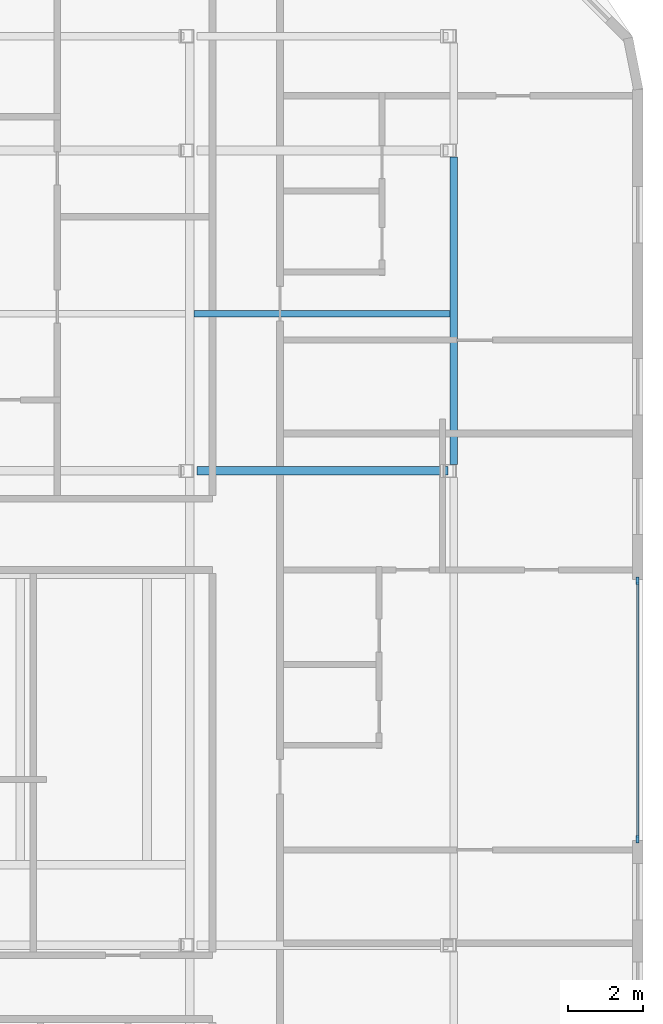
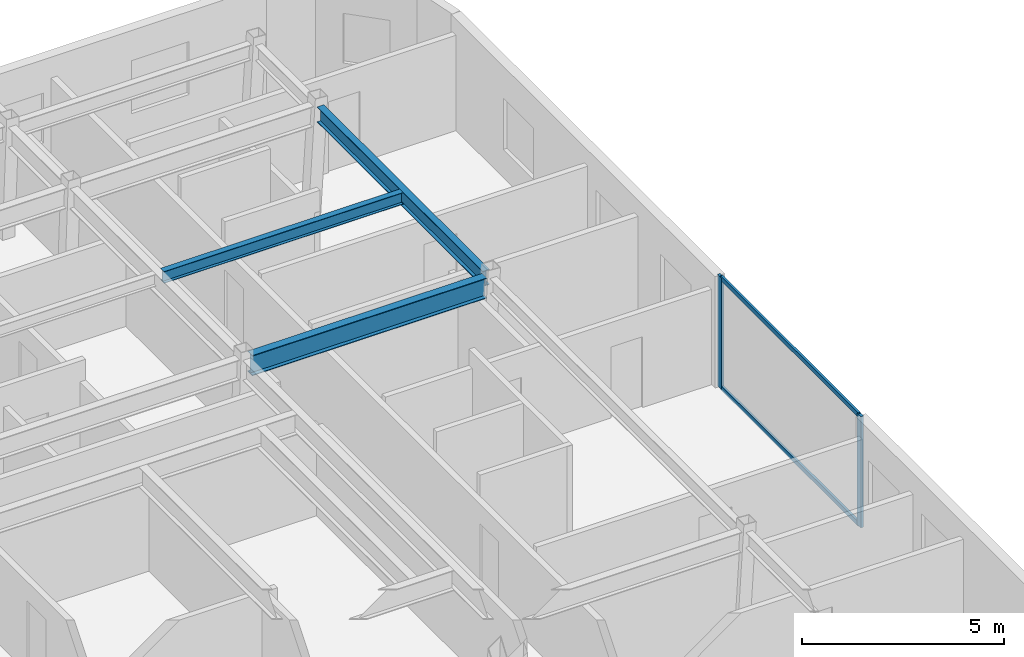
# One storey, part 2 of 9: 4 members, 3 beams, 1 element without a shape of its own.
"""IFC4 building model written with IfcOpenShell, lengths in metres."""

from ifc_helpers import new_model, si_unit, direction, frame, origin, origin_2d, place, context, subcontext, project, spatial, rectangle, i_section, extrude, material, layer, layer_set, material_profile, profile_set, type_object, element, aggregate, save


model = new_model("IFC4")

# Units and contexts
model_context = context("Model", 3, precision=1e-05, world=origin(), true_north=direction((0.0, 1.0)))
body_context = subcontext(model_context, "Body", "Model", "MODEL_VIEW")
ifc_project = project(units=[si_unit("LENGTHUNIT", "METRE"), si_unit("AREAUNIT", "SQUARE_METRE"), si_unit("VOLUMEUNIT", "CUBIC_METRE"), si_unit("PLANEANGLEUNIT", "RADIAN"), si_unit("MASSUNIT", "GRAM", prefix="KILO")], contexts=[model_context])

# Site, building, storey
site_placement = place(None, origin())
site = spatial("IfcSite", under=ifc_project, at=site_placement, CompositionType="ELEMENT")
building_placement = place(site_placement, origin())
building = spatial("IfcBuilding", under=site, at=building_placement, Name="Ochreholt Gables", CompositionType="ELEMENT")
storey_placement = place(building_placement, frame((0.0, 0.0, 184.800048828125)))
storey = spatial("IfcBuildingStorey", under=building, at=storey_placement, Name="L48", CompositionType="ELEMENT", Elevation=184.800048828125)

# Beams
ifc_material_1 = material(Name="Steel CSA G40.21 350W", Category="steel")
ifc_material_profile_1 = material_profile(ifc_material_1, i_section(OverallWidth=0.22900390625, OverallDepth=0.612060546875, WebThickness=0.011962890625, FlangeThickness=0.01953125, at=origin_2d()), Name="W610X125")
ifc_profile_set_1 = profile_set([ifc_material_profile_1], Name="Steel CSA G40.21 350W")
beam_type_1 = type_object("IfcBeamType", Name="BM-G-W610B", PredefinedType="BEAM", material=ifc_profile_set_1)
beam_1_placement = place(storey_placement, frame((46.70751953125, 30.199951171875, 3.053955078125), z_axis=(1.0, 0.0, 0.0), x_axis=(0.0, 1.0, 0.0)))
element("IfcBeam", 1, at=beam_1_placement, inside=storey, type_object=beam_type_1, Name="L48 Beam TBG-L48-EMEE-Y4", PredefinedType="BEAM", context=body_context, shape_type="SweptSolid", body=[
    extrude(i_section(OverallWidth=0.22900390625, OverallDepth=0.612060546875, WebThickness=0.011962890625, FlangeThickness=0.01953125, at=origin_2d()), origin(), (0.0, 0.0, 1.0), 6.698974609375),
])
ifc_material_profile_2 = material_profile(ifc_material_1, i_section(OverallWidth=0.172119140625, OverallDepth=0.35791015625, WebThickness=0.0078125, FlangeThickness=0.01318359375, at=origin_2d()), Name="W360X57")
ifc_profile_set_2 = profile_set([ifc_material_profile_2], Name="Steel CSA G40.21 350W")
beam_type_2 = type_object("IfcBeamType", Name="BM-J-W360B", PredefinedType="JOIST", material=ifc_profile_set_2)
beam_2_placement = place(storey_placement, frame((46.626953125, 34.39990234375, 3.180908203125), z_axis=(1.0, 0.0, 0.0), x_axis=(0.0, 1.0, 0.0)))
element("IfcBeam", 2, at=beam_2_placement, inside=storey, type_object=beam_type_2, Name="L48 Beam TBJ-L48-J2-EMEE", PredefinedType="JOIST", context=body_context, shape_type="SweptSolid", body=[
    extrude(i_section(OverallWidth=0.172119140625, OverallDepth=0.35791015625, WebThickness=0.0078125, FlangeThickness=0.01318359375, at=origin_2d()), origin(), (0.0, 0.0, 1.0), 6.8330078125),
])
ifc_material_profile_3 = material_profile(ifc_material_1, i_section(OverallWidth=0.19189453125, OverallDepth=0.462890625, WebThickness=0.010498046875, FlangeThickness=0.017578125, at=origin_2d()), Name="W460X89")
ifc_profile_set_3 = profile_set([ifc_material_profile_3], Name="Steel CSA G40.21 350W")
beam_type_3 = type_object("IfcBeamType", Name="BM-SP-W460A", PredefinedType="SPANDREL", material=ifc_profile_set_3)
beam_3_placement = place(storey_placement, frame((53.5556640625, 30.377685546875, 3.12841796875), z_axis=(0.0, 1.0, 0.0), x_axis=(-1.0, 0.0, 0.0)))
element("IfcBeam", 3, at=beam_3_placement, inside=storey, type_object=beam_type_3, Name="L48 Beam TBN-L48-EE-Y4Y5", PredefinedType="SPANDREL", context=body_context, shape_type="SweptSolid", body=[
    extrude(i_section(OverallWidth=0.19189453125, OverallDepth=0.462890625, WebThickness=0.010498046875, FlangeThickness=0.017578125, at=origin_2d()), origin(), (0.0, 0.0, 1.0), 8.19482421875),
])

# Curtain wall, members
ifc_material_2 = material(Name="Unitised Aluminium and Triple Glazing", Category="aluminium")
ifc_layer = layer(ifc_material_2, 0.199951171875, Name="Unitised Aluminium and Triple Glazing")
ifc_layer_set = layer_set([ifc_layer], Name="Unitised Aluminium and Triple Glazing")
curtain_wall_type = type_object("IfcCurtainWallType", Name="CW-SYS4", PredefinedType="NOTDEFINED", material=ifc_layer_set)
curtain_wall_placement = place(storey_placement, origin())
curtain_wall = element("IfcCurtainWall", 4, at=curtain_wall_placement, inside=storey, type_object=curtain_wall_type, Name="L48 East Unitised Curtain Wall", PredefinedType="NOTDEFINED")
ifc_material_3 = material(Name="Anodized Aluminium 6063-T6", Category="aluminium")
ifc_material_profile_4 = material_profile(ifc_material_3, rectangle(XDim=0.074951171875, YDim=0.199951171875, at=origin_2d()), Name="CWM75X200")
ifc_profile_set_4 = profile_set([ifc_material_profile_4], Name="Anodized Aluminium 6063-T6")
member_type_1 = type_object("IfcMemberType", Name="CW-MUL-A", PredefinedType="MULLION", material=ifc_profile_set_4)
member_1_placement = place(storey_placement, frame((58.4599609375, 20.37744140625, 0.0), z_axis=(0.0, 0.0, 1.0), x_axis=(-1.0, 0.0, 0.0)))
member_1 = element("IfcMember", 5, at=member_1_placement, type_object=member_type_1, Name="CW-4 mullion 1", PredefinedType="MULLION", context=body_context, shape_type="SweptSolid", body=[
    extrude(rectangle(XDim=0.074951171875, YDim=0.199951171875, at=origin_2d()), origin(), (0.0, 0.0, 1.0), 3.35986328125),
])
member_2_placement = place(storey_placement, frame((58.4599609375, 27.2724609375, 0.0), z_axis=(0.0, 0.0, 1.0), x_axis=(-1.0, 0.0, 0.0)))
member_2 = element("IfcMember", 6, at=member_2_placement, type_object=member_type_1, Name="CW-4 mullion 2", PredefinedType="MULLION", context=body_context, shape_type="SweptSolid", body=[
    extrude(rectangle(XDim=0.074951171875, YDim=0.199951171875, at=origin_2d()), origin(), (0.0, 0.0, 1.0), 3.35986328125),
])
ifc_material_profile_5 = material_profile(ifc_material_3, rectangle(XDim=0.06494140625, YDim=0.135009765625, at=origin_2d()), Name="CWT65X135")
ifc_profile_set_5 = profile_set([ifc_material_profile_5], Name="Anodized Aluminium 6063-T6")
member_type_2 = type_object("IfcMemberType", Name="CW-TRN-B", PredefinedType="USERDEFINED", material=ifc_profile_set_5)
member_3_placement = place(storey_placement, frame((58.4599609375, 20.4150390625, 0.032470703125), z_axis=(0.0, 1.0, 0.0), x_axis=(-1.0, 0.0, 0.0)))
member_3 = element("IfcMember", 7, at=member_3_placement, type_object=member_type_2, Name="CW-4 transom 1.1", ObjectType="TRANSOM", PredefinedType="USERDEFINED", context=body_context, shape_type="SweptSolid", body=[
    extrude(rectangle(XDim=0.06494140625, YDim=0.135009765625, at=origin_2d()), origin(), (0.0, 0.0, 1.0), 6.820068359375),
])
member_4_placement = place(storey_placement, frame((58.4599609375, 20.4150390625, 3.327392578125), z_axis=(0.0, 1.0, 0.0), x_axis=(-1.0, 0.0, 0.0)))
member_4 = element("IfcMember", 8, at=member_4_placement, type_object=member_type_2, Name="CW-4 transom 1.2", ObjectType="TRANSOM", PredefinedType="USERDEFINED", context=body_context, shape_type="SweptSolid", body=[
    extrude(rectangle(XDim=0.06494140625, YDim=0.135009765625, at=origin_2d()), origin(), (0.0, 0.0, 1.0), 6.820068359375),
])
aggregate(curtain_wall, [member_1, member_2, member_3, member_4])

save(model, "model.ifc")
